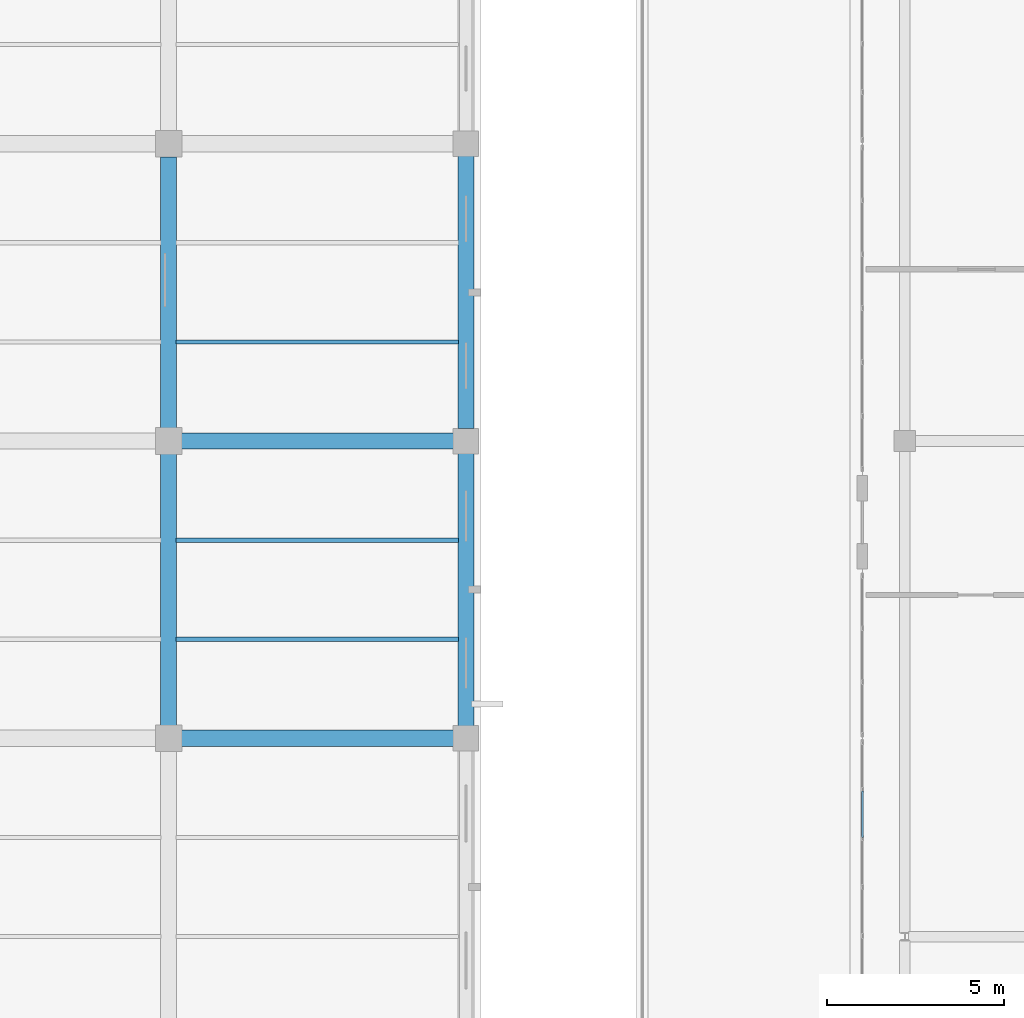
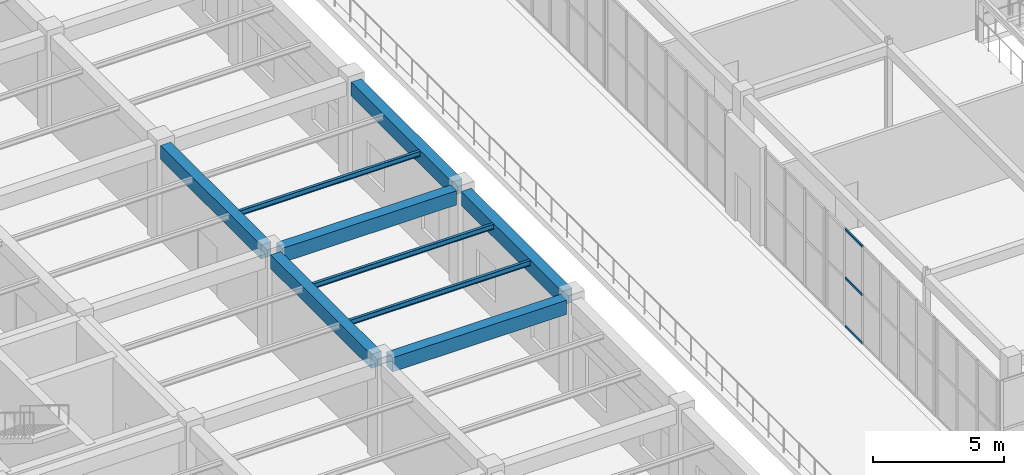
# One storey, part 23 of 158: 9 beams, 3 members, 1 element without a shape of its own.
"""IFC4 building model written with IfcOpenShell, lengths in metres."""

import ifcopenshell
import ifcopenshell.guid

model = None  # the IFC model being written
_history = None  # IfcOwnerHistory: only IFC2X3 demands one
_inside = {}  # id of a spatial element -> (the spatial element, [elements in it])
_under = {}  # id of a project, library or spatial element -> (it, [spatial elements below it])
_declared = {}  # id of a project -> (the project, [libraries it declares])
_typed = {}  # id of a type object -> (the type object, [elements of that type])
_made_of = {}  # id of a material, layer set ... -> (it, [elements and type objects made of it])


def new_model(schema):
    """Start an empty IFC model of exactly this schema.

    Asked for "IFC4X3", IfcOpenShell would pick the latest addendum, in which some entities
    have other attributes; the version numbers below select the first issue.
    IFC2X3 requires an IfcOwnerHistory on every rooted entity: one is made here for all.
    """
    global model, _history
    if schema == "IFC4X3":
        model = ifcopenshell.file(schema_version=(4, 3, 0, 0))
    else:
        model = ifcopenshell.file(schema=schema)
    _inside.clear()
    _under.clear()
    _declared.clear()
    _typed.clear()
    _made_of.clear()
    _history = None
    if model.schema == "IFC2X3":
        org = make("IfcOrganization", Name="unknown")
        user = make(
            "IfcPersonAndOrganization",
            ThePerson=make("IfcPerson", FamilyName="unknown"),
            TheOrganization=org,
        )
        app = make(
            "IfcApplication",
            ApplicationDeveloper=org,
            Version="unknown",
            ApplicationFullName="unknown",
            ApplicationIdentifier="unknown",
        )
        _history = make(
            "IfcOwnerHistory",
            OwningUser=user,
            OwningApplication=app,
            ChangeAction="ADDED",
            CreationDate=0,
        )
    return model


def make(cls, **values):
    """One entity of the class cls with the attributes given. An attribute that is None is left unset."""
    return model.create_entity(
        cls, **{name: value for name, value in values.items() if value is not None}
    )


def rooted(cls, **values):
    """An entity with a GlobalId (a new one), such as an element, a storey or a relation."""
    return make(cls, GlobalId=ifcopenshell.guid.new(), OwnerHistory=_history, **values)


def si_unit(unit_type, name, prefix=None):
    """IfcSIUnit, for example si_unit("LENGTHUNIT", "METRE", prefix="MILLI")."""
    return make("IfcSIUnit", UnitType=unit_type, Prefix=prefix, Name=name)


def assignment(units):
    """IfcUnitAssignment: the units of a project."""
    return None if units is None else make("IfcUnitAssignment", Units=units)


def point(xyz):
    """IfcCartesianPoint."""
    return None if xyz is None else make("IfcCartesianPoint", Coordinates=xyz)


def direction(xyz):
    """IfcDirection."""
    return None if xyz is None else make("IfcDirection", DirectionRatios=xyz)


def frame(location, z_axis=None, x_axis=None):
    """IfcAxis2Placement3D, a coordinate frame: its origin and axes. An axis left out is left unset."""
    return make(
        "IfcAxis2Placement3D",
        Location=point(location),
        Axis=direction(z_axis),
        RefDirection=direction(x_axis),
    )


def frame_2d(location, x_axis=None):
    """IfcAxis2Placement2D, a coordinate frame in the plane: its origin and x axis."""
    return make(
        "IfcAxis2Placement2D", Location=point(location), RefDirection=direction(x_axis)
    )


def origin():
    """The frame at (0, 0, 0) with its axes left unset."""
    return frame((0.0, 0.0, 0.0))


def origin_2d():
    """The frame at (0, 0) in the plane with its x axis left unset."""
    return frame_2d((0.0, 0.0))


def place(relative_to, where):
    """IfcLocalPlacement: puts the frame where relative to a parent placement (None: the world)."""
    return make(
        "IfcLocalPlacement", PlacementRelTo=relative_to, RelativePlacement=where
    )


def context(
    kind, dimensions, precision=None, world=None, true_north=None, identifier=None
):
    """IfcGeometricRepresentationContext, for example the 3D "Model" context."""
    return make(
        "IfcGeometricRepresentationContext",
        ContextIdentifier=identifier,
        ContextType=kind,
        CoordinateSpaceDimension=dimensions,
        Precision=precision,
        WorldCoordinateSystem=world,
        TrueNorth=true_north,
    )


def subcontext(parent, identifier, kind, view, scale=None):
    """IfcGeometricRepresentationSubContext, for example "Body" below "Model"."""
    return make(
        "IfcGeometricRepresentationSubContext",
        ContextIdentifier=identifier,
        ContextType=kind,
        ParentContext=parent,
        TargetScale=scale,
        TargetView=view,
    )


def project(units=None, contexts=None):
    """IfcProject with its units and contexts."""
    return rooted(
        "IfcProject",
        Name="project",
        RepresentationContexts=contexts,
        UnitsInContext=assignment(units),
    )


def spatial(cls, under=None, at=None, **own):
    """A site, building, storey or space (cls), placed at a placement, below another one or the project."""
    s = rooted(cls, ObjectPlacement=at, **own)
    if under is not None:
        _under.setdefault(under.id(), (under, []))[1].append(s)
    return s


def profile(cls, at=None, kind="AREA", **sizes):
    """A parametric profile (cls). Its sizes go by their IFC names, for example OverallWidth=200.0."""
    return make(cls, ProfileType=kind, Position=at, **sizes)


def rectangle(**sizes):
    """IfcRectangleProfileDef."""
    return profile("IfcRectangleProfileDef", **sizes)


def hollow_rectangle(**sizes):
    """IfcRectangleHollowProfileDef."""
    return profile("IfcRectangleHollowProfileDef", **sizes)


def i_section(**sizes):
    """IfcIShapeProfileDef."""
    return profile("IfcIShapeProfileDef", **sizes)


def extrude(swept, where, along, depth):
    """IfcExtrudedAreaSolid: the profile swept, set in the frame where, extruded along a direction by depth."""
    return make(
        "IfcExtrudedAreaSolid",
        SweptArea=swept,
        Position=where,
        ExtrudedDirection=direction(along),
        Depth=depth,
    )


def shape(context_of_items, identifier, shape_type, items):
    """IfcShapeRepresentation: the items that make up one representation, for example the "Body"."""
    return make(
        "IfcShapeRepresentation",
        ContextOfItems=context_of_items,
        RepresentationIdentifier=identifier,
        RepresentationType=shape_type,
        Items=items,
    )


def material(Name=None, Category=None):
    """IfcMaterial."""
    return make("IfcMaterial", Name=Name, Category=Category)


def layer(
    of_material, thickness, ventilated=None, Name=None, Category=None, Priority=None
):
    """IfcMaterialLayer: one layer of a wall or slab, of a material (None: an air gap)."""
    return make(
        "IfcMaterialLayer",
        Material=of_material,
        LayerThickness=thickness,
        IsVentilated=ventilated,
        Name=Name,
        Category=Category,
        Priority=Priority,
    )


def layer_set(layers, Name=None):
    """IfcMaterialLayerSet."""
    return make("IfcMaterialLayerSet", MaterialLayers=layers, LayerSetName=Name)


def material_profile(
    of_material, cross_section, Name=None, Category=None, Priority=None
):
    """IfcMaterialProfile: a cross section and its material."""
    return make(
        "IfcMaterialProfile",
        Name=Name,
        Material=of_material,
        Profile=cross_section,
        Priority=Priority,
        Category=Category,
    )


def profile_set(profiles, Name=None, composite=None):
    """IfcMaterialProfileSet."""
    return make(
        "IfcMaterialProfileSet",
        Name=Name,
        MaterialProfiles=profiles,
        CompositeProfile=composite,
    )


def made_of(thing, what):
    """Note that an element or type object is made of a material, layer set ...; save() writes the relation."""
    if what is not None:
        _made_of.setdefault(what.id(), (what, []))[1].append(thing)
    return thing


def type_object(cls, material=None, **own):
    """A type object (cls), such as IfcWallType, which elements share."""
    return made_of(rooted(cls, **own), material)


def element(
    cls,
    number,
    at=None,
    inside=None,
    cuts=None,
    type_object=None,
    material=None,
    context=None,
    identifier="Body",
    shape_type=None,
    held_by="IfcProductDefinitionShape",
    body=None,
    shapes=None,
    **own,
):
    """One element of the class cls, such as IfcWall. Its Tag is "e" and its number.

    at: its placement. inside: the storey or other place that contains it. cuts: it is an
    opening in that element (IfcRelVoidsElement). A single representation is given by context,
    identifier, shape_type and body (its items); several are given by shapes. held_by: the class
    of the entity that holds the representations. save() writes the other relations.
    """
    e = rooted(cls, Tag="e%d" % number, ObjectPlacement=at, **own)
    if body is not None:
        shapes = [shape(context, identifier, shape_type, body)]
    if shapes is not None:
        e.Representation = make(held_by, Representations=shapes)
    if inside is not None:
        _inside.setdefault(inside.id(), (inside, []))[1].append(e)
    if cuts is not None:
        rooted(
            "IfcRelVoidsElement", RelatingBuildingElement=cuts, RelatedOpeningElement=e
        )
    if type_object is not None:
        _typed.setdefault(type_object.id(), (type_object, []))[1].append(e)
    return made_of(e, material)


def aggregate(whole, parts):
    """IfcRelAggregates: a whole, such as a stair, and the parts it consists of."""
    return rooted("IfcRelAggregates", RelatingObject=whole, RelatedObjects=parts)


def save(model, path):
    """Write the relations noted so far, then the file.

    IfcRelAggregates (storeys below a building ...), IfcRelContainedInSpatialStructure (elements
    in a storey), IfcRelDefinesByType, IfcRelAssociatesMaterial and IfcRelDeclares: one each for
    every whole, place, type object, material and project.
    """
    for whole, parts in _under.values():
        aggregate(whole, parts)
    for where, things in _inside.values():
        rooted(
            "IfcRelContainedInSpatialStructure",
            RelatedElements=things,
            RelatingStructure=where,
        )
    for kind, things in _typed.values():
        rooted("IfcRelDefinesByType", RelatedObjects=things, RelatingType=kind)
    for what, things in _made_of.values():
        rooted("IfcRelAssociatesMaterial", RelatedObjects=things, RelatingMaterial=what)
    for by, libraries in _declared.values():
        rooted("IfcRelDeclares", RelatingContext=by, RelatedDefinitions=libraries)
    model.write(path)


model = new_model("IFC4")

# Units and contexts
model_context = context("Model", 3, precision=1e-05, world=origin(), true_north=direction((0.0, 1.0)))
body_context = subcontext(model_context, "Body", "Model", "MODEL_VIEW")
ifc_project = project(units=[si_unit("LENGTHUNIT", "METRE"), si_unit("AREAUNIT", "SQUARE_METRE"), si_unit("VOLUMEUNIT", "CUBIC_METRE"), si_unit("PLANEANGLEUNIT", "RADIAN"), si_unit("MASSUNIT", "GRAM", prefix="KILO")], contexts=[model_context])

# Site, building, storey
site_placement = place(None, origin())
site = spatial("IfcSite", under=ifc_project, at=site_placement, CompositionType="ELEMENT")
building_placement = place(site_placement, origin())
building = spatial("IfcBuilding", under=site, at=building_placement, Name="Trelvath General Hospital", CompositionType="ELEMENT")
storey_placement = place(building_placement, frame((0.0, 0.0, 8.10009765625)))
storey = spatial("IfcBuildingStorey", under=building, at=storey_placement, Name="L02", CompositionType="ELEMENT", Elevation=8.10009765625)

# Beams
ifc_material_1 = material(Name="Concrete C35/45", Category="concrete")
ifc_material_profile_1 = material_profile(ifc_material_1, rectangle(XDim=0.449951171875, YDim=0.64990234375, at=origin_2d()), Name="RCB450x650")
ifc_profile_set_1 = profile_set([ifc_material_profile_1], Name="Concrete C35/45")
beam_type_1 = type_object("IfcBeamType", Name="Beam RC450x650", PredefinedType="BEAM", material=ifc_profile_set_1)
beam_1_placement = place(storey_placement, frame((33.60009765625, 50.77001953125, 4.19482421875), z_axis=(0.0, 1.0, 0.0), x_axis=(-1.0, 0.0, 0.0)))
element("IfcBeam", 1, at=beam_1_placement, inside=storey, type_object=beam_type_1, Name="Grid Beam BY-204G", PredefinedType="BEAM", context=body_context, shape_type="SweptSolid", body=[
    extrude(rectangle(XDim=0.449951171875, YDim=0.64990234375, at=origin_2d()), origin(), (0.0, 0.0, 1.0), 7.659912109375),
])
beam_2_placement = place(storey_placement, frame((33.60009765625, 59.169921875, 4.19482421875), z_axis=(0.0, 1.0, 0.0), x_axis=(-1.0, 0.0, 0.0)))
element("IfcBeam", 2, at=beam_2_placement, inside=storey, type_object=beam_type_1, Name="Grid Beam BY-204H", PredefinedType="BEAM", context=body_context, shape_type="SweptSolid", body=[
    extrude(rectangle(XDim=0.449951171875, YDim=0.64990234375, at=origin_2d()), origin(), (0.0, 0.0, 1.0), 7.66015625),
])
beam_3_placement = place(storey_placement, frame((42.0, 50.7548828125, 4.19482421875), z_axis=(0.0, 1.0, 0.0), x_axis=(-1.0, 0.0, 0.0)))
element("IfcBeam", 3, at=beam_3_placement, inside=storey, type_object=beam_type_1, Name="Grid Beam BY-205G", PredefinedType="BEAM", context=body_context, shape_type="SweptSolid", body=[
    extrude(rectangle(XDim=0.449951171875, YDim=0.64990234375, at=origin_2d()), origin(), (0.0, 0.0, 1.0), 7.690185546875),
])
beam_4_placement = place(storey_placement, frame((42.0, 59.155029296875, 4.19482421875), z_axis=(0.0, 1.0, 0.0), x_axis=(-1.0, 0.0, 0.0)))
element("IfcBeam", 4, at=beam_4_placement, inside=storey, type_object=beam_type_1, Name="Grid Beam BY-205H", PredefinedType="BEAM", context=body_context, shape_type="SweptSolid", body=[
    extrude(rectangle(XDim=0.449951171875, YDim=0.64990234375, at=origin_2d()), origin(), (0.0, 0.0, 1.0), 7.68994140625),
])
ifc_material_2 = material(Name="Concrete C35/45", Category="concrete")
ifc_material_profile_2 = material_profile(ifc_material_2, rectangle(XDim=0.4599609375, YDim=0.659912109375, at=origin_2d()), Name="RCB460x660")
ifc_profile_set_2 = profile_set([ifc_material_profile_2], Name="Concrete C35/45")
beam_type_2 = type_object("IfcBeamType", Name="Beam RC460x660", PredefinedType="BEAM", material=ifc_profile_set_2)
for number, where, z_axis, x_axis, name in (
    (5, (33.969970703125, 50.39990234375, 4.18994140625), (1.0, 0.0, 0.0), (0.0, 1.0, 0.0), "Grid Beam BX-204G"),
    (6, (33.969970703125, 58.800048828125, 4.18994140625), (1.0, 0.0, 0.0), (0.0, 1.0, 0.0), "Grid Beam BX-204H"),
):
    element("IfcBeam", number, at=place(storey_placement, frame(where, z_axis=z_axis, x_axis=x_axis)), inside=storey, type_object=beam_type_2, Name=name, PredefinedType="BEAM", context=body_context, shape_type="SweptSolid", body=[
        extrude(rectangle(XDim=0.4599609375, YDim=0.659912109375, at=origin_2d()), origin(), (0.0, 0.0, 1.0), 7.675048828125),
    ])

# Curtain wall, members
ifc_material_3 = material(Name="Anodised aluminium and low-E glass", Category="aluminium")
ifc_layer = layer(ifc_material_3, 0.139892578125)
ifc_layer_set = layer_set([ifc_layer], Name="Anodised aluminium and low-E glass")
curtain_wall_type = type_object("IfcCurtainWallType", Name="CW CrystalCube 824 456 14", PredefinedType="USERDEFINED", material=ifc_layer_set)
curtain_wall_placement = place(storey_placement, origin())
curtain_wall = element("IfcCurtainWall", 7, at=curtain_wall_placement, inside=storey, type_object=curtain_wall_type, Name="Crystal Cube Curtain Wall CUBE-W-T1 W2 L02", ObjectType="Unitised Glazed Curtain Wall", PredefinedType="USERDEFINED")
ifc_material_4 = material(Name="Anodised aluminium", Category="aluminium")
ifc_material_profile_3 = material_profile(ifc_material_4, hollow_rectangle(XDim=0.06005859375, YDim=0.110107421875, WallThickness=0.00390625, at=origin_2d()), Name="RHS60x110x4")
ifc_profile_set_3 = profile_set([ifc_material_profile_3], Name="Anodised aluminium")
member_type = type_object("IfcMemberType", Name="CurtainTransom 60x110", PredefinedType="USERDEFINED", material=ifc_profile_set_3)
member_1_placement = place(storey_placement, frame((53.199951171875, 47.603271484375, 0.02978515625), z_axis=(0.0, 1.0, 0.0), x_axis=(-1.0, 0.0, 0.0)))
member_1 = element("IfcMember", 8, at=member_1_placement, type_object=member_type, Name="CW-198 transom 5.1", ObjectType="TRANSOM", PredefinedType="USERDEFINED", context=body_context, shape_type="SweptSolid", body=[
    extrude(hollow_rectangle(XDim=0.06005859375, YDim=0.110107421875, WallThickness=0.00390625, at=origin_2d()), origin(), (0.0, 0.0, 1.0), 1.3134765625),
])
member_2_placement = place(storey_placement, frame((53.199951171875, 47.603271484375, 2.27978515625), z_axis=(0.0, 1.0, 0.0), x_axis=(-1.0, 0.0, 0.0)))
member_2 = element("IfcMember", 9, at=member_2_placement, type_object=member_type, Name="CW-198 transom 5.2", ObjectType="TRANSOM", PredefinedType="USERDEFINED", context=body_context, shape_type="SweptSolid", body=[
    extrude(hollow_rectangle(XDim=0.06005859375, YDim=0.110107421875, WallThickness=0.00390625, at=origin_2d()), origin(), (0.0, 0.0, 1.0), 1.3134765625),
])
member_3_placement = place(storey_placement, frame((53.199951171875, 47.603271484375, 4.52978515625), z_axis=(0.0, 1.0, 0.0), x_axis=(-1.0, 0.0, 0.0)))
member_3 = element("IfcMember", 10, at=member_3_placement, type_object=member_type, Name="CW-198 transom 5.3", ObjectType="TRANSOM", PredefinedType="USERDEFINED", context=body_context, shape_type="SweptSolid", body=[
    extrude(hollow_rectangle(XDim=0.06005859375, YDim=0.110107421875, WallThickness=0.00390625, at=origin_2d()), origin(), (0.0, 0.0, 1.0), 1.3134765625),
])
aggregate(curtain_wall, [member_1, member_2, member_3])

# Beams
ifc_material_5 = material(Name="Steel S355", Category="steel")
ifc_material_profile_4 = material_profile(ifc_material_5, i_section(OverallWidth=0.1201171875, OverallDepth=0.239990234375, WebThickness=0.006103515625, FlangeThickness=0.009765625, at=origin_2d()), Name="IPE240")
ifc_profile_set_4 = profile_set([ifc_material_profile_4], Name="Steel S355")
beam_type_3 = type_object("IfcBeamType", Name="InterstitialJoist IPE240", PredefinedType="JOIST", material=ifc_profile_set_4)
for number, where, z_axis, x_axis, name in (
    (11, (33.81494140625, 53.199951171875, 4.39990234375), (1.0, 0.0, 0.0), (0.0, 1.0, 0.0), "Interstitial Deck Joist IJ-3-213"),
    (12, (33.81494140625, 56.0, 4.39990234375), (1.0, 0.0, 0.0), (0.0, 1.0, 0.0), "Interstitial Deck Joist IJ-3-214"),
    (13, (33.81494140625, 61.60009765625, 4.39990234375), (1.0, 0.0, 0.0), (0.0, 1.0, 0.0), "Interstitial Deck Joist IJ-3-215"),
):
    element("IfcBeam", number, at=place(storey_placement, frame(where, z_axis=z_axis, x_axis=x_axis)), inside=storey, type_object=beam_type_3, Name=name, PredefinedType="JOIST", context=body_context, shape_type="SweptSolid", body=[
        extrude(i_section(OverallWidth=0.1201171875, OverallDepth=0.239990234375, WebThickness=0.006103515625, FlangeThickness=0.009765625, at=origin_2d()), origin(), (0.0, 0.0, 1.0), 7.969970703125),
    ])

save(model, "model.ifc")
